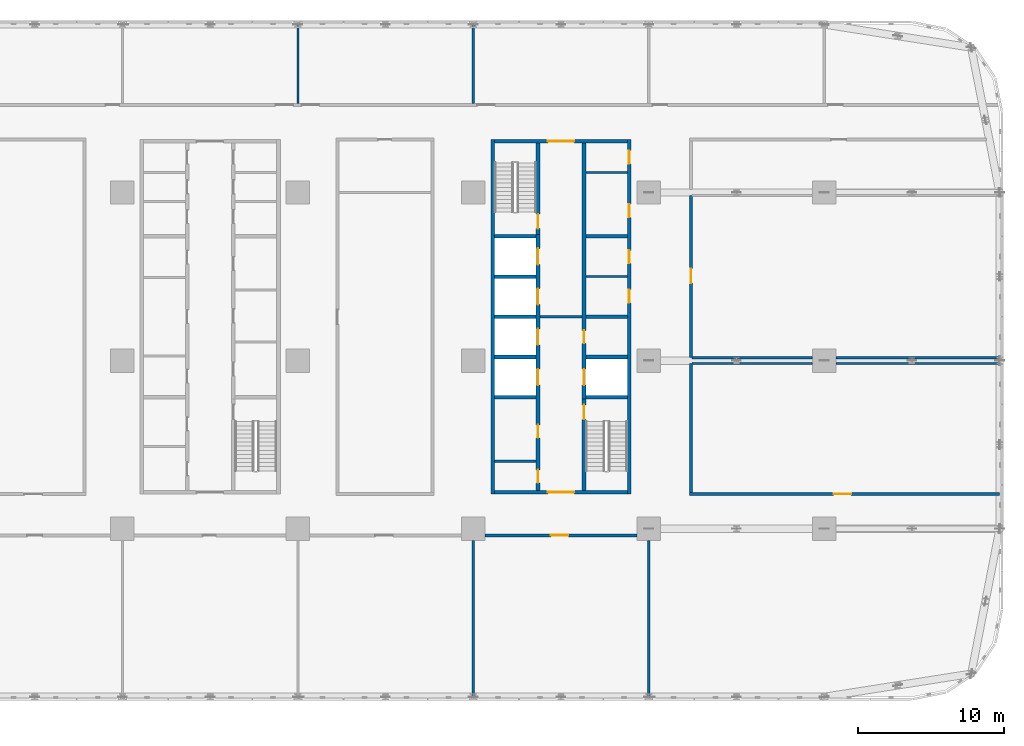
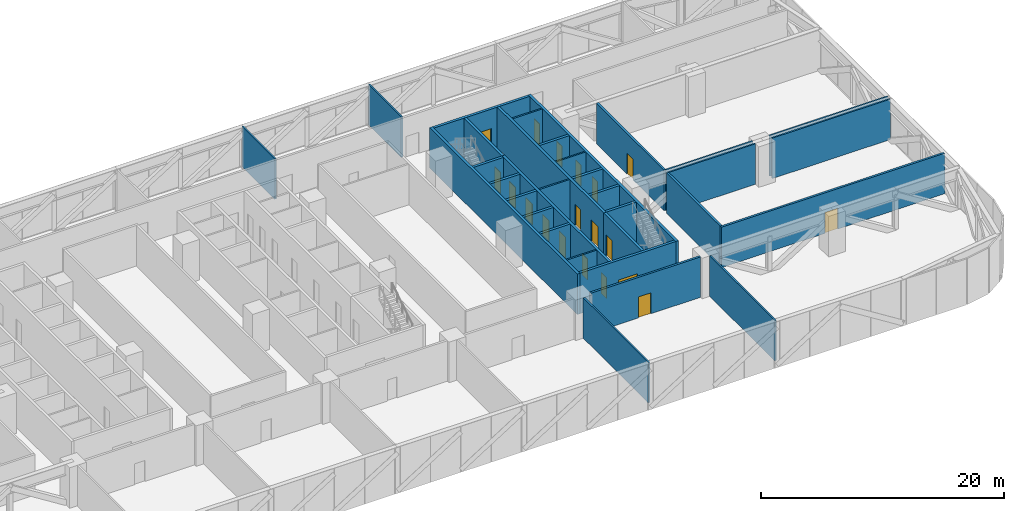
# One storey, part 12 of 25: 33 walls, 19 doors, 19 openings.
"""IFC4 building model written with IfcOpenShell, lengths in metres."""

import ifcopenshell
import ifcopenshell.guid

model = None  # the IFC model being written
_history = None  # IfcOwnerHistory: only IFC2X3 demands one
_inside = {}  # id of a spatial element -> (the spatial element, [elements in it])
_under = {}  # id of a project, library or spatial element -> (it, [spatial elements below it])
_declared = {}  # id of a project -> (the project, [libraries it declares])
_typed = {}  # id of a type object -> (the type object, [elements of that type])
_made_of = {}  # id of a material, layer set ... -> (it, [elements and type objects made of it])


def new_model(schema):
    """Start an empty IFC model of exactly this schema.

    Asked for "IFC4X3", IfcOpenShell would pick the latest addendum, in which some entities
    have other attributes; the version numbers below select the first issue.
    IFC2X3 requires an IfcOwnerHistory on every rooted entity: one is made here for all.
    """
    global model, _history
    if schema == "IFC4X3":
        model = ifcopenshell.file(schema_version=(4, 3, 0, 0))
    else:
        model = ifcopenshell.file(schema=schema)
    _inside.clear()
    _under.clear()
    _declared.clear()
    _typed.clear()
    _made_of.clear()
    _history = None
    if model.schema == "IFC2X3":
        org = make("IfcOrganization", Name="unknown")
        user = make(
            "IfcPersonAndOrganization",
            ThePerson=make("IfcPerson", FamilyName="unknown"),
            TheOrganization=org,
        )
        app = make(
            "IfcApplication",
            ApplicationDeveloper=org,
            Version="unknown",
            ApplicationFullName="unknown",
            ApplicationIdentifier="unknown",
        )
        _history = make(
            "IfcOwnerHistory",
            OwningUser=user,
            OwningApplication=app,
            ChangeAction="ADDED",
            CreationDate=0,
        )
    return model


def make(cls, **values):
    """One entity of the class cls with the attributes given. An attribute that is None is left unset."""
    return model.create_entity(
        cls, **{name: value for name, value in values.items() if value is not None}
    )


def rooted(cls, **values):
    """An entity with a GlobalId (a new one), such as an element, a storey or a relation."""
    return make(cls, GlobalId=ifcopenshell.guid.new(), OwnerHistory=_history, **values)


def si_unit(unit_type, name, prefix=None):
    """IfcSIUnit, for example si_unit("LENGTHUNIT", "METRE", prefix="MILLI")."""
    return make("IfcSIUnit", UnitType=unit_type, Prefix=prefix, Name=name)


def assignment(units):
    """IfcUnitAssignment: the units of a project."""
    return None if units is None else make("IfcUnitAssignment", Units=units)


def point(xyz):
    """IfcCartesianPoint."""
    return None if xyz is None else make("IfcCartesianPoint", Coordinates=xyz)


def direction(xyz):
    """IfcDirection."""
    return None if xyz is None else make("IfcDirection", DirectionRatios=xyz)


def frame(location, z_axis=None, x_axis=None):
    """IfcAxis2Placement3D, a coordinate frame: its origin and axes. An axis left out is left unset."""
    return make(
        "IfcAxis2Placement3D",
        Location=point(location),
        Axis=direction(z_axis),
        RefDirection=direction(x_axis),
    )


def frame_2d(location, x_axis=None):
    """IfcAxis2Placement2D, a coordinate frame in the plane: its origin and x axis."""
    return make(
        "IfcAxis2Placement2D", Location=point(location), RefDirection=direction(x_axis)
    )


def origin():
    """The frame at (0, 0, 0) with its axes left unset."""
    return frame((0.0, 0.0, 0.0))


def place(relative_to, where):
    """IfcLocalPlacement: puts the frame where relative to a parent placement (None: the world)."""
    return make(
        "IfcLocalPlacement", PlacementRelTo=relative_to, RelativePlacement=where
    )


def context(
    kind, dimensions, precision=None, world=None, true_north=None, identifier=None
):
    """IfcGeometricRepresentationContext, for example the 3D "Model" context."""
    return make(
        "IfcGeometricRepresentationContext",
        ContextIdentifier=identifier,
        ContextType=kind,
        CoordinateSpaceDimension=dimensions,
        Precision=precision,
        WorldCoordinateSystem=world,
        TrueNorth=true_north,
    )


def subcontext(parent, identifier, kind, view, scale=None):
    """IfcGeometricRepresentationSubContext, for example "Body" below "Model"."""
    return make(
        "IfcGeometricRepresentationSubContext",
        ContextIdentifier=identifier,
        ContextType=kind,
        ParentContext=parent,
        TargetScale=scale,
        TargetView=view,
    )


def project(units=None, contexts=None):
    """IfcProject with its units and contexts."""
    return rooted(
        "IfcProject",
        Name="project",
        RepresentationContexts=contexts,
        UnitsInContext=assignment(units),
    )


def spatial(cls, under=None, at=None, **own):
    """A site, building, storey or space (cls), placed at a placement, below another one or the project."""
    s = rooted(cls, ObjectPlacement=at, **own)
    if under is not None:
        _under.setdefault(under.id(), (under, []))[1].append(s)
    return s


def profile(cls, at=None, kind="AREA", **sizes):
    """A parametric profile (cls). Its sizes go by their IFC names, for example OverallWidth=200.0."""
    return make(cls, ProfileType=kind, Position=at, **sizes)


def rectangle(**sizes):
    """IfcRectangleProfileDef."""
    return profile("IfcRectangleProfileDef", **sizes)


def extrude(swept, where, along, depth):
    """IfcExtrudedAreaSolid: the profile swept, set in the frame where, extruded along a direction by depth."""
    return make(
        "IfcExtrudedAreaSolid",
        SweptArea=swept,
        Position=where,
        ExtrudedDirection=direction(along),
        Depth=depth,
    )


def shape(context_of_items, identifier, shape_type, items):
    """IfcShapeRepresentation: the items that make up one representation, for example the "Body"."""
    return make(
        "IfcShapeRepresentation",
        ContextOfItems=context_of_items,
        RepresentationIdentifier=identifier,
        RepresentationType=shape_type,
        Items=items,
    )


def material(Name=None, Category=None):
    """IfcMaterial."""
    return make("IfcMaterial", Name=Name, Category=Category)


def layer(
    of_material, thickness, ventilated=None, Name=None, Category=None, Priority=None
):
    """IfcMaterialLayer: one layer of a wall or slab, of a material (None: an air gap)."""
    return make(
        "IfcMaterialLayer",
        Material=of_material,
        LayerThickness=thickness,
        IsVentilated=ventilated,
        Name=Name,
        Category=Category,
        Priority=Priority,
    )


def layer_set(layers, Name=None):
    """IfcMaterialLayerSet."""
    return make("IfcMaterialLayerSet", MaterialLayers=layers, LayerSetName=Name)


def made_of(thing, what):
    """Note that an element or type object is made of a material, layer set ...; save() writes the relation."""
    if what is not None:
        _made_of.setdefault(what.id(), (what, []))[1].append(thing)
    return thing


def type_object(cls, material=None, **own):
    """A type object (cls), such as IfcWallType, which elements share."""
    return made_of(rooted(cls, **own), material)


def element(
    cls,
    number,
    at=None,
    inside=None,
    cuts=None,
    type_object=None,
    material=None,
    context=None,
    identifier="Body",
    shape_type=None,
    held_by="IfcProductDefinitionShape",
    body=None,
    shapes=None,
    **own,
):
    """One element of the class cls, such as IfcWall. Its Tag is "e" and its number.

    at: its placement. inside: the storey or other place that contains it. cuts: it is an
    opening in that element (IfcRelVoidsElement). A single representation is given by context,
    identifier, shape_type and body (its items); several are given by shapes. held_by: the class
    of the entity that holds the representations. save() writes the other relations.
    """
    e = rooted(cls, Tag="e%d" % number, ObjectPlacement=at, **own)
    if body is not None:
        shapes = [shape(context, identifier, shape_type, body)]
    if shapes is not None:
        e.Representation = make(held_by, Representations=shapes)
    if inside is not None:
        _inside.setdefault(inside.id(), (inside, []))[1].append(e)
    if cuts is not None:
        rooted(
            "IfcRelVoidsElement", RelatingBuildingElement=cuts, RelatedOpeningElement=e
        )
    if type_object is not None:
        _typed.setdefault(type_object.id(), (type_object, []))[1].append(e)
    return made_of(e, material)


def fill(opening, filler):
    """IfcRelFillsElement: the door or window that sits in an opening."""
    return rooted(
        "IfcRelFillsElement",
        RelatingOpeningElement=opening,
        RelatedBuildingElement=filler,
    )


def aggregate(whole, parts):
    """IfcRelAggregates: a whole, such as a stair, and the parts it consists of."""
    return rooted("IfcRelAggregates", RelatingObject=whole, RelatedObjects=parts)


def save(model, path):
    """Write the relations noted so far, then the file.

    IfcRelAggregates (storeys below a building ...), IfcRelContainedInSpatialStructure (elements
    in a storey), IfcRelDefinesByType, IfcRelAssociatesMaterial and IfcRelDeclares: one each for
    every whole, place, type object, material and project.
    """
    for whole, parts in _under.values():
        aggregate(whole, parts)
    for where, things in _inside.values():
        rooted(
            "IfcRelContainedInSpatialStructure",
            RelatedElements=things,
            RelatingStructure=where,
        )
    for kind, things in _typed.values():
        rooted("IfcRelDefinesByType", RelatedObjects=things, RelatingType=kind)
    for what, things in _made_of.values():
        rooted("IfcRelAssociatesMaterial", RelatedObjects=things, RelatingMaterial=what)
    for by, libraries in _declared.values():
        rooted("IfcRelDeclares", RelatingContext=by, RelatedDefinitions=libraries)
    model.write(path)


model = new_model("IFC4")

# Units and contexts
model_context = context("Model", 3, precision=1e-05, world=origin(), true_north=direction((0.0, 1.0)))
body_context = subcontext(model_context, "Body", "Model", "MODEL_VIEW")
ifc_project = project(units=[si_unit("LENGTHUNIT", "METRE"), si_unit("AREAUNIT", "SQUARE_METRE"), si_unit("VOLUMEUNIT", "CUBIC_METRE"), si_unit("PLANEANGLEUNIT", "RADIAN"), si_unit("MASSUNIT", "GRAM", prefix="KILO")], contexts=[model_context])

# Site, building, storey
site_placement = place(None, origin())
site = spatial("IfcSite", under=ifc_project, at=site_placement, CompositionType="ELEMENT")
building_placement = place(site_placement, origin())
building = spatial("IfcBuilding", under=site, at=building_placement, Name="Mahtab Terrace Research Tower", CompositionType="ELEMENT")
storey_placement = place(building_placement, frame((0.0, 0.0, 41.60009765625)))
storey = spatial("IfcBuildingStorey", under=building, at=storey_placement, Name="L09", CompositionType="ELEMENT", Elevation=41.60009765625)

# Walls
ifc_material_1 = material(Name="Gypsum board partition")
ifc_layer_1 = layer(ifc_material_1, 0.14990234375)
ifc_layer_set_1 = layer_set([ifc_layer_1], Name="Core partition 150")
wall_type_1 = type_object("IfcWallType", Name="Core partition 150", PredefinedType="PARTITIONING", material=ifc_layer_set_1)
wall_1_placement = place(storey_placement, frame((22.550048828125, 3.0, 0.0), z_axis=(0.0, 0.0, 1.0), x_axis=(1.0, 0.0, 0.0)))
element("IfcWall", 1, at=wall_1_placement, inside=storey, type_object=wall_type_1, Name="Core wall C ffl", PredefinedType="PARTITIONING", context=body_context, shape_type="SweptSolid", body=[
    extrude(rectangle(XDim=2.89990234375, YDim=0.14990234375, at=frame_2d((1.449951171875, 0.0))), origin(), (0.0, 0.0, 1.0), 4.059814453125),
])
for number, where, z_axis, x_axis, name in (
    (2, (25.699951171875, 5.75, 0.0), (0.0, 0.0, 1.0), (1.0, 0.0, 0.0), "Core wall C pEL275"),
    (3, (19.449951171875, -6.875, 0.0), (0.0, 0.0, 1.0), (1.0, 0.0, 0.0), "Core wall C pWS-988"),
    (4, (25.699951171875, 12.875, 0.0), (0.0, 0.0, 1.0), (1.0, 0.0, 0.0), "Core wall C pEN988"),
):
    element("IfcWall", number, at=place(storey_placement, frame(where, z_axis=z_axis, x_axis=x_axis)), inside=storey, type_object=wall_type_1, Name=name, PredefinedType="PARTITIONING", context=body_context, shape_type="SweptSolid", body=[
        extrude(rectangle(XDim=2.85009765625, YDim=0.14990234375, at=frame_2d((1.425048828125, 0.0))), origin(), (0.0, 0.0, 1.0), 4.059814453125),
    ])
ifc_material_2 = material(Name="Concrete C70/85", Category="concrete")
ifc_layer_2 = layer(ifc_material_2, 0.25)
ifc_layer_set_2 = layer_set([ifc_layer_2], Name="Core wall 250")
wall_type_2 = type_object("IfcWallType", Name="Core wall 250", PredefinedType="SOLIDWALL", material=ifc_layer_set_2)
wall_2_placement = place(storey_placement, frame((19.324951171875, 15.125, 0.0), z_axis=(0.0, 0.0, 1.0), x_axis=(0.0, -1.0, 0.0)))
element("IfcWall", 5, at=wall_2_placement, inside=storey, type_object=wall_type_2, Name="Core wall C outerW", PredefinedType="SOLIDWALL", context=body_context, shape_type="SweptSolid", body=[
    extrude(rectangle(XDim=24.25, YDim=0.25, at=frame_2d((12.125, 0.0))), origin(), (0.0, 0.0, 1.0), 4.059814453125),
])

# Wall, openings, doors
wall_3_placement = place(storey_placement, frame((28.675048828125, -9.125, 0.0), z_axis=(0.0, 0.0, 1.0), x_axis=(0.0, 1.0, 0.0)))
wall_3 = element("IfcWall", 6, at=wall_3_placement, inside=storey, type_object=wall_type_2, Name="Core wall C outerE", PredefinedType="SOLIDWALL", context=body_context, shape_type="SweptSolid", body=[
    extrude(rectangle(XDim=24.25, YDim=0.25, at=frame_2d((12.125, 0.0))), origin(), (0.0, 0.0, 1.0), 4.059814453125),
])
opening_1_placement = place(wall_3_placement, frame((13.074951171875, 0.0, 0.0)))
opening_1 = element("IfcOpeningElement", 7, at=opening_1_placement, cuts=wall_3, Name="Opening C-R2", PredefinedType="OPENING", context=body_context, shape_type="SweptSolid", body=[
    extrude(rectangle(XDim=0.89990234375, YDim=2.10009765625, at=frame_2d((0.449951171875, 1.050048828125))), frame((0.0, 0.135009765625, 0.0), z_axis=(0.0, -1.0, 0.0), x_axis=(1.0, 0.0, 0.0)), (0.0, 0.0, 1.0), 0.27001953125),
])
opening_2_placement = place(wall_3_placement, frame((15.77490234375, 0.0, 0.0)))
opening_2 = element("IfcOpeningElement", 8, at=opening_2_placement, cuts=wall_3, Name="Opening C-R3", PredefinedType="OPENING", context=body_context, shape_type="SweptSolid", body=[
    extrude(rectangle(XDim=0.89990234375, YDim=2.10009765625, at=frame_2d((0.449951171875, 1.050048828125))), frame((0.0, 0.135009765625, 0.0), z_axis=(0.0, -1.0, 0.0), x_axis=(1.0, 0.0, 0.0)), (0.0, 0.0, 1.0), 0.27001953125),
])
opening_3_placement = place(wall_3_placement, frame((18.925048828125, 0.0, 0.0)))
opening_3 = element("IfcOpeningElement", 9, at=opening_3_placement, cuts=wall_3, Name="Opening C-R6", PredefinedType="OPENING", context=body_context, shape_type="SweptSolid", body=[
    extrude(rectangle(XDim=0.89990234375, YDim=2.10009765625, at=frame_2d((0.449951171875, 1.050048828125))), frame((0.0, 0.135009765625, 0.0), z_axis=(0.0, -1.0, 0.0), x_axis=(1.0, 0.0, 0.0)), (0.0, 0.0, 1.0), 0.27001953125),
])
opening_4_placement = place(wall_3_placement, frame((22.58740234375, 0.0, 0.0)))
opening_4 = element("IfcOpeningElement", 10, at=opening_4_placement, cuts=wall_3, Name="Opening C-R7", PredefinedType="OPENING", context=body_context, shape_type="SweptSolid", body=[
    extrude(rectangle(XDim=0.89990234375, YDim=2.10009765625, at=frame_2d((0.449951171875, 1.050048828125))), frame((0.0, 0.135009765625, 0.0), z_axis=(0.0, -1.0, 0.0), x_axis=(1.0, 0.0, 0.0)), (0.0, 0.0, 1.0), 0.27001953125),
])
ifc_material_3 = material(Name="Steel fire door", Category="steel")
door_type_1 = type_object("IfcDoorType", Name="Room door 900x2100 1 HR", OperationType="NOTDEFINED", PredefinedType="DOOR", material=ifc_material_3)
door_1_placement = place(opening_1_placement, origin())
door_1 = element("IfcDoor", 11, at=door_1_placement, inside=storey, type_object=door_type_1, Name="Document store door", OperationType="SINGLE_SWING_RIGHT", OverallHeight=2.10009765625, OverallWidth=0.89990234375, PredefinedType="DOOR", context=body_context, shape_type="SweptSolid", body=[
    extrude(rectangle(XDim=0.89990234375, YDim=2.10009765625, at=frame_2d((0.449951171875, 1.050048828125))), frame((0.0, 0.02490234375, 0.0), z_axis=(0.0, -1.0, 0.0), x_axis=(1.0, 0.0, 0.0)), (0.0, 0.0, 1.0), 0.050048828125),
])
fill(opening_1, door_1)
door_2_placement = place(opening_2_placement, origin())
door_2 = element("IfcDoor", 12, at=door_2_placement, inside=storey, type_object=door_type_1, Name="IT equipment room door", OperationType="SINGLE_SWING_LEFT", OverallHeight=2.10009765625, OverallWidth=0.89990234375, PredefinedType="DOOR", context=body_context, shape_type="SweptSolid", body=[
    extrude(rectangle(XDim=0.89990234375, YDim=2.10009765625, at=frame_2d((0.449951171875, 1.050048828125))), frame((0.0, 0.02490234375, 0.0), z_axis=(0.0, -1.0, 0.0), x_axis=(1.0, 0.0, 0.0)), (0.0, 0.0, 1.0), 0.050048828125),
])
fill(opening_2, door_2)
door_3_placement = place(opening_3_placement, origin())
door_3 = element("IfcDoor", 13, at=door_3_placement, inside=storey, type_object=door_type_1, Name="IT equipment room door", OperationType="SINGLE_SWING_RIGHT", OverallHeight=2.10009765625, OverallWidth=0.89990234375, PredefinedType="DOOR", context=body_context, shape_type="SweptSolid", body=[
    extrude(rectangle(XDim=0.89990234375, YDim=2.10009765625, at=frame_2d((0.449951171875, 1.050048828125))), frame((0.0, 0.02490234375, 0.0), z_axis=(0.0, -1.0, 0.0), x_axis=(1.0, 0.0, 0.0)), (0.0, 0.0, 1.0), 0.050048828125),
])
fill(opening_3, door_3)
door_4_placement = place(opening_4_placement, origin())
door_4 = element("IfcDoor", 14, at=door_4_placement, inside=storey, type_object=door_type_1, Name="Electrical riser room door", OperationType="SINGLE_SWING_LEFT", OverallHeight=2.10009765625, OverallWidth=0.89990234375, PredefinedType="DOOR", context=body_context, shape_type="SweptSolid", body=[
    extrude(rectangle(XDim=0.89990234375, YDim=2.10009765625, at=frame_2d((0.449951171875, 1.050048828125))), frame((0.0, 0.02490234375, 0.0), z_axis=(0.0, -1.0, 0.0), x_axis=(1.0, 0.0, 0.0)), (0.0, 0.0, 1.0), 0.050048828125),
])
fill(opening_4, door_4)

# Wall, opening, door
wall_4_placement = place(storey_placement, frame((28.550048828125, -9.0, 0.0), z_axis=(0.0, 0.0, 1.0), x_axis=(-1.0, 0.0, 0.0)))
wall_4 = element("IfcWall", 15, at=wall_4_placement, inside=storey, type_object=wall_type_2, Name="Core wall C endS", PredefinedType="SOLIDWALL", context=body_context, shape_type="SweptSolid", body=[
    extrude(rectangle(XDim=9.10009765625, YDim=0.25, at=frame_2d((4.550048828125, 0.0))), origin(), (0.0, 0.0, 1.0), 4.059814453125),
])
opening_5_placement = place(wall_4_placement, frame((3.64990234375, 0.0, 0.0)))
opening_5 = element("IfcOpeningElement", 16, at=opening_5_placement, cuts=wall_4, Name="Opening C-S1", PredefinedType="OPENING", context=body_context, shape_type="SweptSolid", body=[
    extrude(rectangle(XDim=1.800048828125, YDim=2.10009765625, at=frame_2d((0.89990234375, 1.050048828125))), frame((0.0, 0.135009765625, 0.0), z_axis=(0.0, -1.0, 0.0), x_axis=(1.0, 0.0, 0.0)), (0.0, 0.0, 1.0), 0.27001953125),
])
door_type_2 = type_object("IfcDoorType", Name="Lobby double door 1800x2100 1 HR", OperationType="DOUBLE_DOOR_SINGLE_SWING", PredefinedType="DOOR", material=ifc_material_3)
door_5_placement = place(opening_5_placement, origin())
door_5 = element("IfcDoor", 17, at=door_5_placement, inside=storey, type_object=door_type_2, Name="Core entrance door C S", OperationType="DOUBLE_DOOR_SINGLE_SWING", OverallHeight=2.10009765625, OverallWidth=1.800048828125, PredefinedType="DOOR", context=body_context, shape_type="SweptSolid", body=[
    extrude(rectangle(XDim=1.800048828125, YDim=2.10009765625, at=frame_2d((0.89990234375, 1.050048828125))), frame((0.0, 0.02490234375, 0.0), z_axis=(0.0, -1.0, 0.0), x_axis=(1.0, 0.0, 0.0)), (0.0, 0.0, 1.0), 0.050048828125),
])
fill(opening_5, door_5)

wall_5_placement = place(storey_placement, frame((19.449951171875, 15.0, 0.0), z_axis=(0.0, 0.0, 1.0), x_axis=(1.0, 0.0, 0.0)))
wall_5 = element("IfcWall", 18, at=wall_5_placement, inside=storey, type_object=wall_type_2, Name="Core wall C endN", PredefinedType="SOLIDWALL", context=body_context, shape_type="SweptSolid", body=[
    extrude(rectangle(XDim=9.10009765625, YDim=0.25, at=frame_2d((4.550048828125, 0.0))), origin(), (0.0, 0.0, 1.0), 4.059814453125),
])
opening_6_placement = place(wall_5_placement, frame((3.64990234375, 0.0, 0.0)))
opening_6 = element("IfcOpeningElement", 19, at=opening_6_placement, cuts=wall_5, Name="Opening C-N1", PredefinedType="OPENING", context=body_context, shape_type="SweptSolid", body=[
    extrude(rectangle(XDim=1.800048828125, YDim=2.10009765625, at=frame_2d((0.89990234375, 1.050048828125))), frame((0.0, 0.135009765625, 0.0), z_axis=(0.0, -1.0, 0.0), x_axis=(1.0, 0.0, 0.0)), (0.0, 0.0, 1.0), 0.27001953125),
])
door_6_placement = place(opening_6_placement, origin())
door_6 = element("IfcDoor", 20, at=door_6_placement, inside=storey, type_object=door_type_2, Name="Core entrance door C N", OperationType="DOUBLE_DOOR_SINGLE_SWING", OverallHeight=2.10009765625, OverallWidth=1.800048828125, PredefinedType="DOOR", context=body_context, shape_type="SweptSolid", body=[
    extrude(rectangle(XDim=1.800048828125, YDim=2.10009765625, at=frame_2d((0.89990234375, 1.050048828125))), frame((0.0, 0.02490234375, 0.0), z_axis=(0.0, -1.0, 0.0), x_axis=(1.0, 0.0, 0.0)), (0.0, 0.0, 1.0), 0.050048828125),
])
fill(opening_6, door_6)

# Wall, openings, doors
wall_6_placement = place(storey_placement, frame((22.425048828125, -8.875, 0.0), z_axis=(0.0, 0.0, 1.0), x_axis=(0.0, 1.0, 0.0)))
wall_6 = element("IfcWall", 21, at=wall_6_placement, inside=storey, type_object=wall_type_2, Name="Core wall C innerWSL", PredefinedType="SOLIDWALL", context=body_context, shape_type="SweptSolid", body=[
    extrude(rectangle(XDim=17.5, YDim=0.25, at=frame_2d((8.75, 0.0))), origin(), (0.0, 0.0, 1.0), 4.059814453125),
])
opening_7_placement = place(wall_6_placement, frame((7.199951171875, 0.0, 0.0)))
opening_7 = element("IfcOpeningElement", 22, at=opening_7_placement, cuts=wall_6, Name="Opening LD17-L09", PredefinedType="OPENING", context=body_context, shape_type="SweptSolid", body=[
    extrude(rectangle(XDim=1.10009765625, YDim=2.10009765625, at=frame_2d((0.550048828125, 1.050048828125))), frame((0.0, 0.135009765625, 0.0), z_axis=(0.0, -1.0, 0.0), x_axis=(1.0, 0.0, 0.0)), (0.0, 0.0, 1.0), 0.27001953125),
])
opening_8_placement = place(wall_6_placement, frame((9.949951171875, 0.0, 0.0)))
opening_8 = element("IfcOpeningElement", 23, at=opening_8_placement, cuts=wall_6, Name="Opening LD18-L09", PredefinedType="OPENING", context=body_context, shape_type="SweptSolid", body=[
    extrude(rectangle(XDim=1.10009765625, YDim=2.10009765625, at=frame_2d((0.550048828125, 1.050048828125))), frame((0.0, 0.135009765625, 0.0), z_axis=(0.0, -1.0, 0.0), x_axis=(1.0, 0.0, 0.0)), (0.0, 0.0, 1.0), 0.27001953125),
])
opening_9_placement = place(wall_6_placement, frame((12.699951171875, 0.0, 0.0)))
opening_9 = element("IfcOpeningElement", 24, at=opening_9_placement, cuts=wall_6, Name="Opening LD19-L09", PredefinedType="OPENING", context=body_context, shape_type="SweptSolid", body=[
    extrude(rectangle(XDim=1.10009765625, YDim=2.10009765625, at=frame_2d((0.550048828125, 1.050048828125))), frame((0.0, 0.135009765625, 0.0), z_axis=(0.0, -1.0, 0.0), x_axis=(1.0, 0.0, 0.0)), (0.0, 0.0, 1.0), 0.27001953125),
])
opening_10_placement = place(wall_6_placement, frame((15.449951171875, 0.0, 0.0)))
opening_10 = element("IfcOpeningElement", 25, at=opening_10_placement, cuts=wall_6, Name="Opening LD20-L09", PredefinedType="OPENING", context=body_context, shape_type="SweptSolid", body=[
    extrude(rectangle(XDim=1.10009765625, YDim=2.10009765625, at=frame_2d((0.550048828125, 1.050048828125))), frame((0.0, 0.135009765625, 0.0), z_axis=(0.0, -1.0, 0.0), x_axis=(1.0, 0.0, 0.0)), (0.0, 0.0, 1.0), 0.27001953125),
])
opening_11_placement = place(wall_6_placement, frame((0.512451171875, 0.0, 0.0)))
opening_11 = element("IfcOpeningElement", 26, at=opening_11_placement, cuts=wall_6, Name="Opening C-R4", PredefinedType="OPENING", context=body_context, shape_type="SweptSolid", body=[
    extrude(rectangle(XDim=0.89990234375, YDim=2.10009765625, at=frame_2d((0.449951171875, 1.050048828125))), frame((0.0, 0.135009765625, 0.0), z_axis=(0.0, -1.0, 0.0), x_axis=(1.0, 0.0, 0.0)), (0.0, 0.0, 1.0), 0.27001953125),
])
opening_12_placement = place(wall_6_placement, frame((3.58740234375, 0.0, 0.0)))
opening_12 = element("IfcOpeningElement", 27, at=opening_12_placement, cuts=wall_6, Name="Opening C-R5", PredefinedType="OPENING", context=body_context, shape_type="SweptSolid", body=[
    extrude(rectangle(XDim=0.89990234375, YDim=2.10009765625, at=frame_2d((0.449951171875, 1.050048828125))), frame((0.0, 0.135009765625, 0.0), z_axis=(0.0, -1.0, 0.0), x_axis=(1.0, 0.0, 0.0)), (0.0, 0.0, 1.0), 0.27001953125),
])
ifc_material_4 = material(Name="Stainless steel AISI 304", Category="steel")
door_type_3 = type_object("IfcDoorType", Name="Landing door 1100x2100", OperationType="DOUBLE_DOOR_SLIDING", PredefinedType="DOOR", material=ifc_material_4)
door_7_placement = place(opening_7_placement, origin())
door_7 = element("IfcDoor", 28, at=door_7_placement, inside=storey, type_object=door_type_3, Name="Landing door SV1 L09", OperationType="DOUBLE_DOOR_SLIDING", OverallHeight=2.10009765625, OverallWidth=1.10009765625, PredefinedType="DOOR", context=body_context, shape_type="SweptSolid", body=[
    extrude(rectangle(XDim=1.10009765625, YDim=2.10009765625, at=frame_2d((0.550048828125, 1.050048828125))), frame((0.0, 0.02490234375, 0.0), z_axis=(0.0, -1.0, 0.0), x_axis=(1.0, 0.0, 0.0)), (0.0, 0.0, 1.0), 0.050048828125),
])
fill(opening_7, door_7)
door_8_placement = place(opening_8_placement, origin())
door_8 = element("IfcDoor", 29, at=door_8_placement, inside=storey, type_object=door_type_3, Name="Landing door SV2 L09", OperationType="DOUBLE_DOOR_SLIDING", OverallHeight=2.10009765625, OverallWidth=1.10009765625, PredefinedType="DOOR", context=body_context, shape_type="SweptSolid", body=[
    extrude(rectangle(XDim=1.10009765625, YDim=2.10009765625, at=frame_2d((0.550048828125, 1.050048828125))), frame((0.0, 0.02490234375, 0.0), z_axis=(0.0, -1.0, 0.0), x_axis=(1.0, 0.0, 0.0)), (0.0, 0.0, 1.0), 0.050048828125),
])
fill(opening_8, door_8)
door_9_placement = place(opening_9_placement, origin())
door_9 = element("IfcDoor", 30, at=door_9_placement, inside=storey, type_object=door_type_3, Name="Landing door FF1 L09", OperationType="DOUBLE_DOOR_SLIDING", OverallHeight=2.10009765625, OverallWidth=1.10009765625, PredefinedType="DOOR", context=body_context, shape_type="SweptSolid", body=[
    extrude(rectangle(XDim=1.10009765625, YDim=2.10009765625, at=frame_2d((0.550048828125, 1.050048828125))), frame((0.0, 0.02490234375, 0.0), z_axis=(0.0, -1.0, 0.0), x_axis=(1.0, 0.0, 0.0)), (0.0, 0.0, 1.0), 0.050048828125),
])
fill(opening_9, door_9)
door_10_placement = place(opening_10_placement, origin())
door_10 = element("IfcDoor", 31, at=door_10_placement, inside=storey, type_object=door_type_3, Name="Landing door FF2 L09", OperationType="DOUBLE_DOOR_SLIDING", OverallHeight=2.10009765625, OverallWidth=1.10009765625, PredefinedType="DOOR", context=body_context, shape_type="SweptSolid", body=[
    extrude(rectangle(XDim=1.10009765625, YDim=2.10009765625, at=frame_2d((0.550048828125, 1.050048828125))), frame((0.0, 0.02490234375, 0.0), z_axis=(0.0, -1.0, 0.0), x_axis=(1.0, 0.0, 0.0)), (0.0, 0.0, 1.0), 0.050048828125),
])
fill(opening_10, door_10)
door_11_placement = place(opening_11_placement, origin())
door_11 = element("IfcDoor", 32, at=door_11_placement, inside=storey, type_object=door_type_1, Name="Accessible WC door", OperationType="SINGLE_SWING_RIGHT", OverallHeight=2.10009765625, OverallWidth=0.89990234375, PredefinedType="DOOR", context=body_context, shape_type="SweptSolid", body=[
    extrude(rectangle(XDim=0.89990234375, YDim=2.10009765625, at=frame_2d((0.449951171875, 1.050048828125))), frame((0.0, 0.02490234375, 0.0), z_axis=(0.0, -1.0, 0.0), x_axis=(1.0, 0.0, 0.0)), (0.0, 0.0, 1.0), 0.050048828125),
])
fill(opening_11, door_11)
door_12_placement = place(opening_12_placement, origin())
door_12 = element("IfcDoor", 33, at=door_12_placement, inside=storey, type_object=door_type_1, Name="WC block door", OperationType="SINGLE_SWING_LEFT", OverallHeight=2.10009765625, OverallWidth=0.89990234375, PredefinedType="DOOR", context=body_context, shape_type="SweptSolid", body=[
    extrude(rectangle(XDim=0.89990234375, YDim=2.10009765625, at=frame_2d((0.449951171875, 1.050048828125))), frame((0.0, 0.02490234375, 0.0), z_axis=(0.0, -1.0, 0.0), x_axis=(1.0, 0.0, 0.0)), (0.0, 0.0, 1.0), 0.050048828125),
])
fill(opening_12, door_12)

# Wall, opening, door
wall_7_placement = place(storey_placement, frame((22.425048828125, 14.875, 0.0), z_axis=(0.0, 0.0, 1.0), x_axis=(0.0, -1.0, 0.0)))
wall_7 = element("IfcWall", 34, at=wall_7_placement, inside=storey, type_object=wall_type_2, Name="Core wall C innerWN", PredefinedType="SOLIDWALL", context=body_context, shape_type="SweptSolid", body=[
    extrude(rectangle(XDim=6.25, YDim=0.25, at=frame_2d((3.125, 0.0))), origin(), (0.0, 0.0, 1.0), 4.059814453125),
])
opening_13_placement = place(wall_7_placement, frame((4.85009765625, 0.0, 0.0)))
opening_13 = element("IfcOpeningElement", 35, at=opening_13_placement, cuts=wall_7, Name="Opening C-ST3", PredefinedType="OPENING", context=body_context, shape_type="SweptSolid", body=[
    extrude(rectangle(XDim=1.0, YDim=2.10009765625, at=frame_2d((0.5, 1.050048828125))), frame((0.0, 0.135009765625, 0.0), z_axis=(0.0, -1.0, 0.0), x_axis=(1.0, 0.0, 0.0)), (0.0, 0.0, 1.0), 0.27001953125),
])
door_type_4 = type_object("IfcDoorType", Name="Stair door 1000x2100 1.5 HR", OperationType="NOTDEFINED", PredefinedType="DOOR", material=ifc_material_3)
door_13_placement = place(opening_13_placement, origin())
door_13 = element("IfcDoor", 36, at=door_13_placement, inside=storey, type_object=door_type_4, Name="Stair door ST3 L09", OperationType="SINGLE_SWING_RIGHT", OverallHeight=2.10009765625, OverallWidth=1.0, PredefinedType="DOOR", context=body_context, shape_type="SweptSolid", body=[
    extrude(rectangle(XDim=1.0, YDim=2.10009765625, at=frame_2d((0.5, 1.050048828125))), frame((0.0, 0.02490234375, 0.0), z_axis=(0.0, -1.0, 0.0), x_axis=(1.0, 0.0, 0.0)), (0.0, 0.0, 1.0), 0.050048828125),
])
fill(opening_13, door_13)

wall_8_placement = place(storey_placement, frame((25.574951171875, -8.875, 0.0), z_axis=(0.0, 0.0, 1.0), x_axis=(0.0, 1.0, 0.0)))
wall_8 = element("IfcWall", 37, at=wall_8_placement, inside=storey, type_object=wall_type_2, Name="Core wall C innerES", PredefinedType="SOLIDWALL", context=body_context, shape_type="SweptSolid", body=[
    extrude(rectangle(XDim=6.25, YDim=0.25, at=frame_2d((3.125, 0.0))), origin(), (0.0, 0.0, 1.0), 4.059814453125),
])
opening_14_placement = place(wall_8_placement, frame((4.85009765625, 0.0, 0.0)))
opening_14 = element("IfcOpeningElement", 38, at=opening_14_placement, cuts=wall_8, Name="Opening C-ST4", PredefinedType="OPENING", context=body_context, shape_type="SweptSolid", body=[
    extrude(rectangle(XDim=1.0, YDim=2.10009765625, at=frame_2d((0.5, 1.050048828125))), frame((0.0, 0.135009765625, 0.0), z_axis=(0.0, -1.0, 0.0), x_axis=(1.0, 0.0, 0.0)), (0.0, 0.0, 1.0), 0.27001953125),
])
door_14_placement = place(opening_14_placement, origin())
door_14 = element("IfcDoor", 39, at=door_14_placement, inside=storey, type_object=door_type_4, Name="Stair door ST4 L09", OperationType="SINGLE_SWING_LEFT", OverallHeight=2.10009765625, OverallWidth=1.0, PredefinedType="DOOR", context=body_context, shape_type="SweptSolid", body=[
    extrude(rectangle(XDim=1.0, YDim=2.10009765625, at=frame_2d((0.5, 1.050048828125))), frame((0.0, 0.02490234375, 0.0), z_axis=(0.0, -1.0, 0.0), x_axis=(1.0, 0.0, 0.0)), (0.0, 0.0, 1.0), 0.050048828125),
])
fill(opening_14, door_14)

# Wall, openings, doors
wall_9_placement = place(storey_placement, frame((25.574951171875, 14.875, 0.0), z_axis=(0.0, 0.0, 1.0), x_axis=(0.0, -1.0, 0.0)))
wall_9 = element("IfcWall", 40, at=wall_9_placement, inside=storey, type_object=wall_type_2, Name="Core wall C innerELN", PredefinedType="SOLIDWALL", context=body_context, shape_type="SweptSolid", body=[
    extrude(rectangle(XDim=17.5, YDim=0.25, at=frame_2d((8.75, 0.0))), origin(), (0.0, 0.0, 1.0), 4.059814453125),
])
opening_15_placement = place(wall_9_placement, frame((15.449951171875, 0.0, 0.0)))
opening_15 = element("IfcOpeningElement", 41, at=opening_15_placement, cuts=wall_9, Name="Opening LD21-L09", PredefinedType="OPENING", context=body_context, shape_type="SweptSolid", body=[
    extrude(rectangle(XDim=1.10009765625, YDim=2.10009765625, at=frame_2d((0.550048828125, 1.050048828125))), frame((0.0, 0.135009765625, 0.0), z_axis=(0.0, -1.0, 0.0), x_axis=(1.0, 0.0, 0.0)), (0.0, 0.0, 1.0), 0.27001953125),
])
opening_16_placement = place(wall_9_placement, frame((12.800048828125, 0.0, 0.0)))
opening_16 = element("IfcOpeningElement", 42, at=opening_16_placement, cuts=wall_9, Name="Opening C-R1", PredefinedType="OPENING", context=body_context, shape_type="SweptSolid", body=[
    extrude(rectangle(XDim=0.89990234375, YDim=2.10009765625, at=frame_2d((0.449951171875, 1.050048828125))), frame((0.0, 0.135009765625, 0.0), z_axis=(0.0, -1.0, 0.0), x_axis=(1.0, 0.0, 0.0)), (0.0, 0.0, 1.0), 0.27001953125),
])
door_15_placement = place(opening_15_placement, origin())
door_15 = element("IfcDoor", 43, at=door_15_placement, inside=storey, type_object=door_type_3, Name="Landing door SV3 L09", OperationType="DOUBLE_DOOR_SLIDING", OverallHeight=2.10009765625, OverallWidth=1.10009765625, PredefinedType="DOOR", context=body_context, shape_type="SweptSolid", body=[
    extrude(rectangle(XDim=1.10009765625, YDim=2.10009765625, at=frame_2d((0.550048828125, 1.050048828125))), frame((0.0, 0.02490234375, 0.0), z_axis=(0.0, -1.0, 0.0), x_axis=(1.0, 0.0, 0.0)), (0.0, 0.0, 1.0), 0.050048828125),
])
fill(opening_15, door_15)
door_16_placement = place(opening_16_placement, origin())
door_16 = element("IfcDoor", 44, at=door_16_placement, inside=storey, type_object=door_type_1, Name="Plant room door", OperationType="SINGLE_SWING_LEFT", OverallHeight=2.10009765625, OverallWidth=0.89990234375, PredefinedType="DOOR", context=body_context, shape_type="SweptSolid", body=[
    extrude(rectangle(XDim=0.89990234375, YDim=2.10009765625, at=frame_2d((0.449951171875, 1.050048828125))), frame((0.0, 0.02490234375, 0.0), z_axis=(0.0, -1.0, 0.0), x_axis=(1.0, 0.0, 0.0)), (0.0, 0.0, 1.0), 0.050048828125),
])
fill(opening_16, door_16)

# Walls
for number, where, z_axis, x_axis, name in (
    (45, (19.449951171875, -2.5, 0.0), (0.0, 0.0, 1.0), (1.0, 0.0, 0.0), "Core wall C divW0"),
    (46, (19.449951171875, 0.25, 0.0), (0.0, 0.0, 1.0), (1.0, 0.0, 0.0), "Core wall C divW1"),
    (47, (19.449951171875, 3.0, 0.0), (0.0, 0.0, 1.0), (1.0, 0.0, 0.0), "Core wall C divW2"),
    (48, (19.449951171875, 5.75, 0.0), (0.0, 0.0, 1.0), (1.0, 0.0, 0.0), "Core wall C divW3"),
    (49, (19.449951171875, 8.5, 0.0), (0.0, 0.0, 1.0), (1.0, 0.0, 0.0), "Core wall C divW4"),
    (50, (25.699951171875, -2.5, 0.0), (0.0, 0.0, 1.0), (1.0, 0.0, 0.0), "Core wall C divE0"),
    (51, (25.699951171875, 0.25, 0.0), (0.0, 0.0, 1.0), (1.0, 0.0, 0.0), "Core wall C divE1"),
    (52, (25.699951171875, 3.0, 0.0), (0.0, 0.0, 1.0), (1.0, 0.0, 0.0), "Core wall C divE2"),
    (53, (25.699951171875, 8.5, 0.0), (0.0, 0.0, 1.0), (1.0, 0.0, 0.0), "Core wall C divE4"),
):
    element("IfcWall", number, at=place(storey_placement, frame(where, z_axis=z_axis, x_axis=x_axis)), inside=storey, type_object=wall_type_2, Name=name, PredefinedType="SOLIDWALL", context=body_context, shape_type="SweptSolid", body=[
        extrude(rectangle(XDim=2.85009765625, YDim=0.25, at=frame_2d((1.425048828125, 0.0))), origin(), (0.0, 0.0, 1.0), 4.059814453125),
    ])

# Wall, opening, door
ifc_material_5 = material(Name="Gypsum board corridor wall on steel studs", Category="steel")
ifc_layer_3 = layer(ifc_material_5, 0.199951171875)
ifc_layer_set_3 = layer_set([ifc_layer_3], Name="WALL CORRIDOR 200")
wall_type_3 = type_object("IfcWallType", Name="WALL CORRIDOR 200", PredefinedType="PARTITIONING", material=ifc_layer_set_3)
wall_10_placement = place(storey_placement, frame((18.800048828125, -11.949951171875, 0.0), z_axis=(0.0, 0.0, 1.0), x_axis=(1.0, 0.0, 0.0)))
wall_10 = element("IfcWall", 54, at=wall_10_placement, inside=storey, type_object=wall_type_3, Name="L09-W005", PredefinedType="PARTITIONING", context=body_context, shape_type="SweptSolid", body=[
    extrude(rectangle(XDim=10.39990234375, YDim=0.199951171875, at=frame_2d((5.199951171875, 0.0))), origin(), (0.0, 0.0, 1.0), 4.059814453125),
])
opening_17_placement = place(wall_10_placement, frame((4.5, 0.0, 0.0)))
opening_17 = element("IfcOpeningElement", 55, at=opening_17_placement, cuts=wall_10, Name="Opening L09-105", PredefinedType="OPENING", context=body_context, shape_type="SweptSolid", body=[
    extrude(rectangle(XDim=1.199951171875, YDim=2.10009765625, at=frame_2d((0.60009765625, 1.050048828125))), frame((0.0, 0.10986328125, 0.0), z_axis=(0.0, -1.0, 0.0), x_axis=(1.0, 0.0, 0.0)), (0.0, 0.0, 1.0), 0.219970703125),
])
ifc_material_6 = material(Name="Timber door leaf in steel frame", Category="steel")
door_type_5 = type_object("IfcDoorType", Name="DOOR 1200X2100 FD30S", OperationType="SINGLE_SWING_LEFT", PredefinedType="DOOR", material=ifc_material_6)
door_17_placement = place(opening_17_placement, origin())
door_17 = element("IfcDoor", 56, at=door_17_placement, inside=storey, type_object=door_type_5, Name="Door L09-105", OperationType="SINGLE_SWING_RIGHT", OverallHeight=2.10009765625, OverallWidth=1.199951171875, PredefinedType="DOOR", context=body_context, shape_type="SweptSolid", body=[
    extrude(rectangle(XDim=1.199951171875, YDim=2.10009765625, at=frame_2d((0.60009765625, 1.050048828125))), frame((0.0, 0.02490234375, 0.0), z_axis=(0.0, -1.0, 0.0), x_axis=(1.0, 0.0, 0.0)), (0.0, 0.0, 1.0), 0.050048828125),
])
fill(opening_17, door_17)

wall_11_placement = place(storey_placement, frame((32.800048828125, -9.125, 0.0), z_axis=(0.0, 0.0, 1.0), x_axis=(1.0, 0.0, 0.0)))
wall_11 = element("IfcWall", 57, at=wall_11_placement, inside=storey, type_object=wall_type_3, Name="L09-W010", PredefinedType="PARTITIONING", context=body_context, shape_type="SweptSolid", body=[
    extrude(rectangle(XDim=21.199951171875, YDim=0.199951171875, at=frame_2d((10.60009765625, 0.0))), origin(), (0.0, 0.0, 1.0), 4.059814453125),
])
opening_18_placement = place(wall_11_placement, frame((9.85009765625, 0.0, 0.0)))
opening_18 = element("IfcOpeningElement", 58, at=opening_18_placement, cuts=wall_11, Name="Opening L09-108", PredefinedType="OPENING", context=body_context, shape_type="SweptSolid", body=[
    extrude(rectangle(XDim=1.199951171875, YDim=2.10009765625, at=frame_2d((0.60009765625, 1.050048828125))), frame((0.0, 0.10986328125, 0.0), z_axis=(0.0, -1.0, 0.0), x_axis=(1.0, 0.0, 0.0)), (0.0, 0.0, 1.0), 0.219970703125),
])
door_18_placement = place(opening_18_placement, origin())
door_18 = element("IfcDoor", 59, at=door_18_placement, inside=storey, type_object=door_type_5, Name="Door L09-108", OperationType="SINGLE_SWING_LEFT", OverallHeight=2.10009765625, OverallWidth=1.199951171875, PredefinedType="DOOR", context=body_context, shape_type="SweptSolid", body=[
    extrude(rectangle(XDim=1.199951171875, YDim=2.10009765625, at=frame_2d((0.60009765625, 1.050048828125))), frame((0.0, 0.02490234375, 0.0), z_axis=(0.0, -1.0, 0.0), x_axis=(1.0, 0.0, 0.0)), (0.0, 0.0, 1.0), 0.050048828125),
])
fill(opening_18, door_18)

# Wall
wall_12_placement = place(storey_placement, frame((32.89990234375, -9.02490234375, 0.0), z_axis=(0.0, 0.0, 1.0), x_axis=(0.0, 1.0, 0.0)))
element("IfcWall", 60, at=wall_12_placement, inside=storey, type_object=wall_type_3, Name="L09-W043", PredefinedType="PARTITIONING", context=body_context, shape_type="SweptSolid", body=[
    extrude(rectangle(XDim=8.824951171875, YDim=0.199951171875, at=frame_2d((4.41259765625, 0.0))), origin(), (0.0, 0.0, 1.0), 4.059814453125),
])

# Wall, opening, door
wall_13_placement = place(storey_placement, frame((32.89990234375, 0.199951171875, 0.0), z_axis=(0.0, 0.0, 1.0), x_axis=(0.0, 1.0, 0.0)))
wall_13 = element("IfcWall", 61, at=wall_13_placement, inside=storey, type_object=wall_type_3, Name="L09-W044", PredefinedType="PARTITIONING", context=body_context, shape_type="SweptSolid", body=[
    extrude(rectangle(XDim=11.10009765625, YDim=0.199951171875, at=frame_2d((5.550048828125, 0.0))), origin(), (0.0, 0.0, 1.0), 4.059814453125),
])
opening_19_placement = place(wall_13_placement, frame((5.10009765625, 0.0, 0.0)))
opening_19 = element("IfcOpeningElement", 62, at=opening_19_placement, cuts=wall_13, Name="Opening L09-112", PredefinedType="OPENING", context=body_context, shape_type="SweptSolid", body=[
    extrude(rectangle(XDim=1.0, YDim=2.10009765625, at=frame_2d((0.5, 1.050048828125))), frame((0.0, 0.10986328125, 0.0), z_axis=(0.0, -1.0, 0.0), x_axis=(1.0, 0.0, 0.0)), (0.0, 0.0, 1.0), 0.219970703125),
])
door_type_6 = type_object("IfcDoorType", Name="DOOR 1000X2100 FD30S", OperationType="SINGLE_SWING_LEFT", PredefinedType="DOOR", material=ifc_material_6)
door_19_placement = place(opening_19_placement, origin())
door_19 = element("IfcDoor", 63, at=door_19_placement, inside=storey, type_object=door_type_6, Name="Door L09-112", OperationType="SINGLE_SWING_LEFT", OverallHeight=2.10009765625, OverallWidth=1.0, PredefinedType="DOOR", context=body_context, shape_type="SweptSolid", body=[
    extrude(rectangle(XDim=1.0, YDim=2.10009765625, at=frame_2d((0.5, 1.050048828125))), frame((0.0, 0.02490234375, 0.0), z_axis=(0.0, -1.0, 0.0), x_axis=(1.0, 0.0, 0.0)), (0.0, 0.0, 1.0), 0.050048828125),
])
fill(opening_19, door_19)

# Walls
ifc_material_7 = material(Name="Gypsum board partition on steel studs", Category="steel")
ifc_layer_4 = layer(ifc_material_7, 0.14990234375)
ifc_layer_set_4 = layer_set([ifc_layer_4], Name="WALL PARTITION 150")
wall_type_4 = type_object("IfcWallType", Name="WALL PARTITION 150", PredefinedType="PARTITIONING", material=ifc_layer_set_4)
wall_14_placement = place(storey_placement, frame((32.949951171875, -0.199951171875, 0.0), z_axis=(0.0, 0.0, 1.0), x_axis=(1.0, 0.0, 0.0)))
element("IfcWall", 64, at=wall_14_placement, inside=storey, type_object=wall_type_4, Name="L09-W011", PredefinedType="PARTITIONING", context=body_context, shape_type="SweptSolid", body=[
    extrude(rectangle(XDim=8.25, YDim=0.14990234375, at=frame_2d((4.125, 0.0))), origin(), (0.0, 0.0, 1.0), 4.059814453125),
])
wall_15_placement = place(storey_placement, frame((42.800048828125, -0.199951171875, 0.0), z_axis=(0.0, 0.0, 1.0), x_axis=(1.0, 0.0, 0.0)))
element("IfcWall", 65, at=wall_15_placement, inside=storey, type_object=wall_type_4, Name="L09-W012", PredefinedType="PARTITIONING", context=body_context, shape_type="SweptSolid", body=[
    extrude(rectangle(XDim=11.199951171875, YDim=0.14990234375, at=frame_2d((5.60009765625, 0.0))), origin(), (0.0, 0.0, 1.0), 4.059814453125),
])
wall_16_placement = place(storey_placement, frame((32.949951171875, 0.199951171875, 0.0), z_axis=(0.0, 0.0, 1.0), x_axis=(1.0, 0.0, 0.0)))
element("IfcWall", 66, at=wall_16_placement, inside=storey, type_object=wall_type_4, Name="L09-W013", PredefinedType="PARTITIONING", context=body_context, shape_type="SweptSolid", body=[
    extrude(rectangle(XDim=8.25, YDim=0.14990234375, at=frame_2d((4.125, 0.0))), origin(), (0.0, 0.0, 1.0), 4.059814453125),
])
wall_17_placement = place(storey_placement, frame((42.800048828125, 0.199951171875, 0.0), z_axis=(0.0, 0.0, 1.0), x_axis=(1.0, 0.0, 0.0)))
element("IfcWall", 67, at=wall_17_placement, inside=storey, type_object=wall_type_4, Name="L09-W014", PredefinedType="PARTITIONING", context=body_context, shape_type="SweptSolid", body=[
    extrude(rectangle(XDim=11.199951171875, YDim=0.14990234375, at=frame_2d((5.60009765625, 0.0))), origin(), (0.0, 0.0, 1.0), 4.059814453125),
])
wall_18_placement = place(storey_placement, frame((6.0, 17.60009765625, 0.0), z_axis=(0.0, 0.0, 1.0), x_axis=(0.0, 1.0, 0.0)))
element("IfcWall", 68, at=wall_18_placement, inside=storey, type_object=wall_type_4, Name="L09-W036", PredefinedType="PARTITIONING", context=body_context, shape_type="SweptSolid", body=[
    extrude(rectangle(XDim=5.39990234375, YDim=0.14990234375, at=frame_2d((2.699951171875, 0.0))), origin(), (0.0, 0.0, 1.0), 4.059814453125),
])
wall_19_placement = place(storey_placement, frame((18.0, -23.0, 0.0), z_axis=(0.0, 0.0, 1.0), x_axis=(0.0, 1.0, 0.0)))
element("IfcWall", 69, at=wall_19_placement, inside=storey, type_object=wall_type_4, Name="L09-W039", PredefinedType="PARTITIONING", context=body_context, shape_type="SweptSolid", body=[
    extrude(rectangle(XDim=10.699951171875, YDim=0.14990234375, at=frame_2d((5.35009765625, 0.0))), origin(), (0.0, 0.0, 1.0), 4.059814453125),
])
wall_20_placement = place(storey_placement, frame((18.0, 17.60009765625, 0.0), z_axis=(0.0, 0.0, 1.0), x_axis=(0.0, 1.0, 0.0)))
element("IfcWall", 70, at=wall_20_placement, inside=storey, type_object=wall_type_4, Name="L09-W040", PredefinedType="PARTITIONING", context=body_context, shape_type="SweptSolid", body=[
    extrude(rectangle(XDim=5.39990234375, YDim=0.14990234375, at=frame_2d((2.699951171875, 0.0))), origin(), (0.0, 0.0, 1.0), 4.059814453125),
])
wall_21_placement = place(storey_placement, frame((30.0, -23.0, 0.0), z_axis=(0.0, 0.0, 1.0), x_axis=(0.0, 1.0, 0.0)))
element("IfcWall", 71, at=wall_21_placement, inside=storey, type_object=wall_type_4, Name="L09-W041", PredefinedType="PARTITIONING", context=body_context, shape_type="SweptSolid", body=[
    extrude(rectangle(XDim=10.699951171875, YDim=0.14990234375, at=frame_2d((5.35009765625, 0.0))), origin(), (0.0, 0.0, 1.0), 4.059814453125),
])

save(model, "model.ifc")
